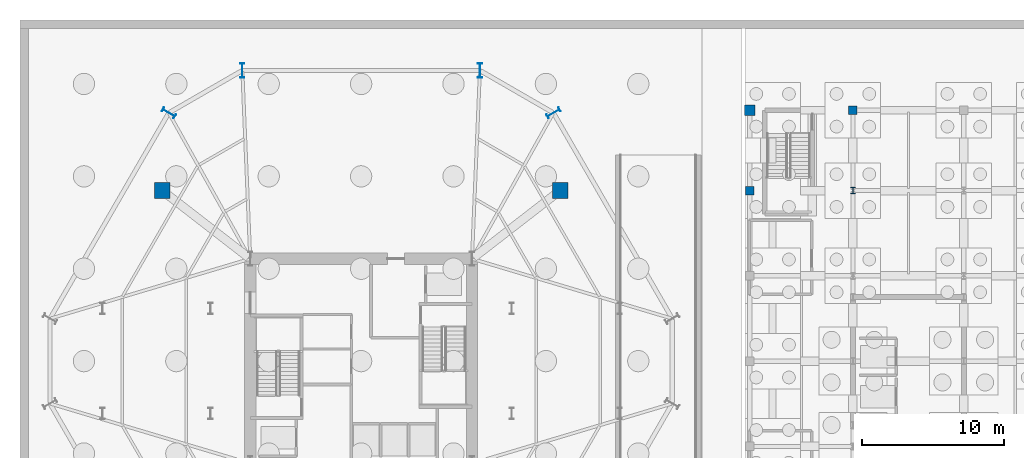
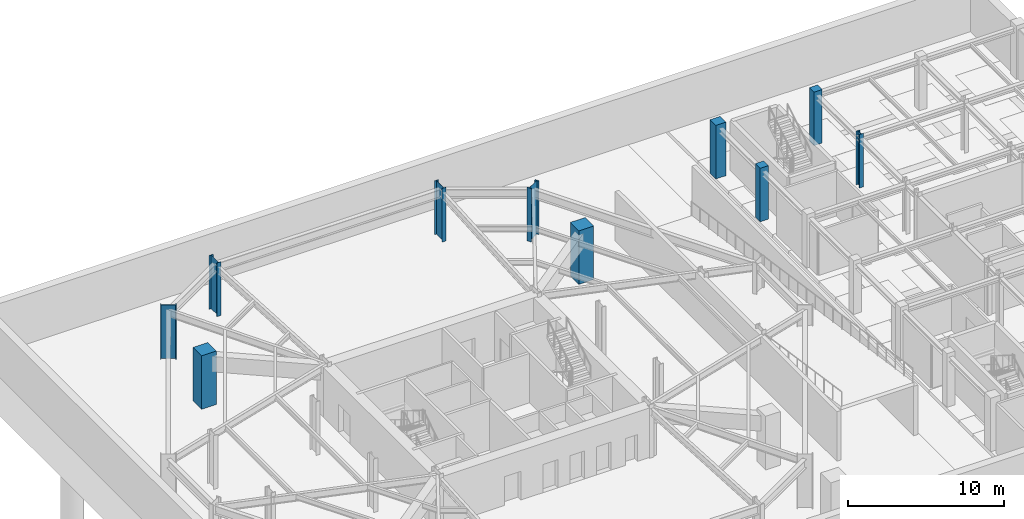
# One storey, part 6 of 18: 10 columns.
"""IFC4 building model written with IfcOpenShell, lengths in metres."""

from ifc_helpers import new_model, si_unit, direction, frame, origin, origin_2d, place, context, subcontext, project, spatial, rectangle, i_section, extrude, material, material_profile, profile_set, type_object, element, save


model = new_model("IFC4")

# Units and contexts
model_context = context("Model", 3, precision=1e-05, world=origin(), true_north=direction((0.0, 1.0)))
body_context = subcontext(model_context, "Body", "Model", "MODEL_VIEW")
ifc_project = project(units=[si_unit("LENGTHUNIT", "METRE"), si_unit("AREAUNIT", "SQUARE_METRE"), si_unit("VOLUMEUNIT", "CUBIC_METRE"), si_unit("PLANEANGLEUNIT", "RADIAN"), si_unit("MASSUNIT", "GRAM", prefix="KILO")], contexts=[model_context])

# Site, building, storey
site_placement = place(None, origin())
site = spatial("IfcSite", under=ifc_project, at=site_placement, CompositionType="ELEMENT")
building_placement = place(site_placement, origin())
building = spatial("IfcBuilding", under=site, at=building_placement, Name="Kranzbogen Civic Tower", CompositionType="ELEMENT")
storey_placement = place(building_placement, frame((0.0, 0.0, -8.39990234375)))
storey = spatial("IfcBuildingStorey", under=building, at=storey_placement, Name="B02", CompositionType="ELEMENT", Elevation=-8.39990234375)

# Columns
ifc_material_1 = material(Name="Steel S355", Category="steel")
ifc_material_profile_1 = material_profile(ifc_material_1, i_section(OverallWidth=0.300048828125, OverallDepth=0.449951171875, WebThickness=0.013916015625, FlangeThickness=0.02587890625, at=origin_2d()), Name="HEB 450")
ifc_profile_set_1 = profile_set([ifc_material_profile_1], Name="Steel S355")
column_type_1 = type_object("IfcColumnType", Name="Structural Column HEB 450", PredefinedType="COLUMN", material=ifc_profile_set_1)
column_1_placement = place(storey_placement, frame((59.60009765625, 37.0, 0.0), z_axis=(0.0, 0.0, 1.0), x_axis=(1.0, 0.0, 0.0)))
element("IfcColumn", 1, at=column_1_placement, inside=storey, type_object=column_type_1, Name="B02 Health Centre column 11/G", PredefinedType="COLUMN", context=body_context, shape_type="SweptSolid", body=[
    extrude(i_section(OverallWidth=0.300048828125, OverallDepth=0.449951171875, WebThickness=0.013916015625, FlangeThickness=0.02587890625, at=origin_2d()), origin(), (0.0, 0.0, 1.0), 4.199951171875),
])
ifc_material_2 = material(Name="Steel S460", Category="steel")
ifc_material_profile_2 = material_profile(ifc_material_2, i_section(OverallWidth=0.302001953125, OverallDepth=1.008056640625, WebThickness=0.02099609375, FlangeThickness=0.0400390625, at=origin_2d()), Name="HEM 1000")
ifc_profile_set_2 = profile_set([ifc_material_profile_2], Name="Steel S460")
column_type_2 = type_object("IfcColumnType", Name="Structural Column HEM 1000", PredefinedType="COLUMN", material=ifc_profile_set_2)
for number, where, z_axis, x_axis, name in (
    (2, (38.531005859375, 42.464111328125, 0.0), (0.0, 0.0, 1.0), (-0.5, 0.866025403784, 0.0), "B02 tower perimeter tube column 02"),
    (3, (33.35888671875, 45.449951171875, 0.0), (0.0, 0.0, 1.0), (1.0, 0.0, 0.0), "B02 tower perimeter tube column 03"),
    (4, (16.64111328125, 45.449951171875, 0.0), (0.0, 0.0, 1.0), (1.0, 0.0, 0.0), "B02 tower perimeter tube column 04"),
    (5, (11.468994140625, 42.464111328125, 0.0), (0.0, 0.0, 1.0), (0.5, 0.866025403784, 0.0), "B02 tower perimeter tube column 05"),
):
    element("IfcColumn", number, at=place(storey_placement, frame(where, z_axis=z_axis, x_axis=x_axis)), inside=storey, type_object=column_type_2, Name=name, PredefinedType="COLUMN", context=body_context, shape_type="SweptSolid", body=[
        extrude(i_section(OverallWidth=0.302001953125, OverallDepth=1.008056640625, WebThickness=0.02099609375, FlangeThickness=0.0400390625, at=origin_2d()), origin(), (0.0, 0.0, 1.0), 4.199951171875),
    ])
ifc_material_3 = material(Name="Concrete C55/67", Category="concrete")
ifc_material_profile_3 = material_profile(ifc_material_3, rectangle(XDim=1.10009765625, YDim=1.10009765625, at=origin_2d()), Name="RC 1100x1100")
ifc_profile_set_3 = profile_set([ifc_material_profile_3], Name="Concrete C55/67")
column_type_3 = type_object("IfcColumnType", Name="Structural Column RC 1100x1100", PredefinedType="COLUMN", material=ifc_profile_set_3)
for number, where, z_axis, x_axis, name in (
    (6, (11.0, 37.0, 0.0), (0.0, 0.0, 1.0), (1.0, 0.0, 0.0), "B02 basement auxiliary column 3"),
    (7, (39.0, 37.0, 0.0), (0.0, 0.0, 1.0), (1.0, 0.0, 0.0), "B02 basement auxiliary column 4"),
):
    element("IfcColumn", number, at=place(storey_placement, frame(where, z_axis=z_axis, x_axis=x_axis)), inside=storey, type_object=column_type_3, Name=name, PredefinedType="COLUMN", context=body_context, shape_type="SweptSolid", body=[
        extrude(rectangle(XDim=1.10009765625, YDim=1.10009765625, at=origin_2d()), origin(), (0.0, 0.0, 1.0), 4.199951171875),
    ])
ifc_material_4 = material(Name="Concrete C40/50", Category="concrete")
ifc_material_profile_4 = material_profile(ifc_material_4, rectangle(XDim=0.60009765625, YDim=0.60009765625, at=origin_2d()), Name="RC 600x600")
ifc_profile_set_4 = profile_set([ifc_material_profile_4], Name="Concrete C40/50")
column_type_4 = type_object("IfcColumnType", Name="Structural Column RC 600x600", PredefinedType="COLUMN", material=ifc_profile_set_4)
for number, where, z_axis, x_axis, name in (
    (8, (52.35009765625, 37.0, 0.0), (0.0, 0.0, 1.0), (1.0, 0.0, 0.0), "B02 Health Centre column 10/G"),
    (9, (59.60009765625, 42.64990234375, 0.0), (0.0, 0.0, 1.0), (1.0, 0.0, 0.0), "B02 Health Centre column 11/H"),
):
    element("IfcColumn", number, at=place(storey_placement, frame(where, z_axis=z_axis, x_axis=x_axis)), inside=storey, type_object=column_type_4, Name=name, PredefinedType="COLUMN", context=body_context, shape_type="SweptSolid", body=[
        extrude(rectangle(XDim=0.60009765625, YDim=0.60009765625, at=origin_2d()), origin(), (0.0, 0.0, 1.0), 4.199951171875),
    ])
ifc_material_profile_5 = material_profile(ifc_material_4, rectangle(XDim=0.75, YDim=0.75, at=origin_2d()), Name="RC 750x750")
ifc_profile_set_5 = profile_set([ifc_material_profile_5], Name="Concrete C40/50")
column_type_5 = type_object("IfcColumnType", Name="Structural Column RC 750x750", PredefinedType="COLUMN", material=ifc_profile_set_5)
column_2_placement = place(storey_placement, frame((52.35009765625, 42.64990234375, 0.0), z_axis=(0.0, 0.0, 1.0), x_axis=(1.0, 0.0, 0.0)))
element("IfcColumn", 10, at=column_2_placement, inside=storey, type_object=column_type_5, Name="B02 Health Centre column 10/H", PredefinedType="COLUMN", context=body_context, shape_type="SweptSolid", body=[
    extrude(rectangle(XDim=0.75, YDim=0.75, at=origin_2d()), origin(), (0.0, 0.0, 1.0), 4.199951171875),
])

save(model, "model.ifc")
